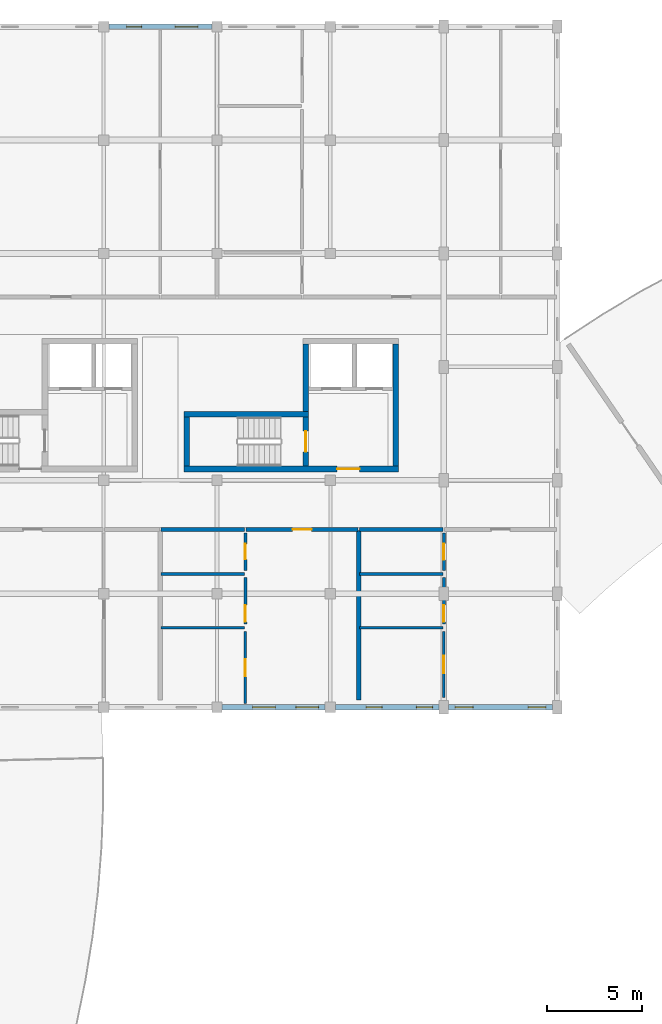
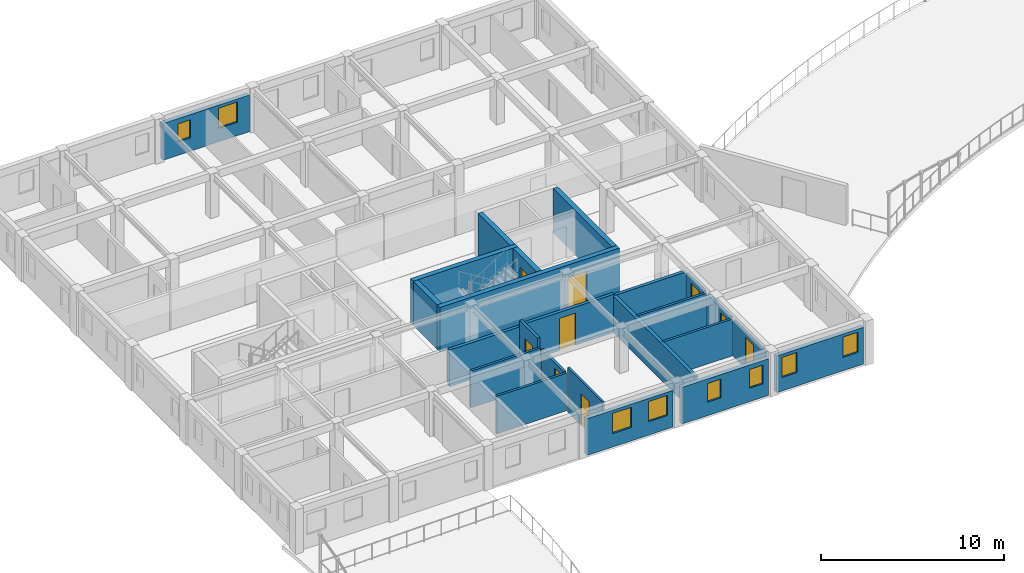
# One storey, part 36 of 58: 24 walls, 9 doors, 8 windows, 17 openings.
"""IFC4 building model written with IfcOpenShell, lengths in metres."""

from ifc_helpers import new_model, si_unit, direction, frame, frame_2d, origin, place, context, subcontext, project, spatial, rectangle, extrude, material, layer, layer_set, type_object, element, fill, save


model = new_model("IFC4")

# Units and contexts
model_context = context("Model", 3, precision=1e-05, world=origin(), true_north=direction((0.0, 1.0)))
body_context = subcontext(model_context, "Body", "Model", "MODEL_VIEW")
ifc_project = project(units=[si_unit("LENGTHUNIT", "METRE"), si_unit("AREAUNIT", "SQUARE_METRE"), si_unit("VOLUMEUNIT", "CUBIC_METRE"), si_unit("PLANEANGLEUNIT", "RADIAN"), si_unit("MASSUNIT", "GRAM", prefix="KILO"), si_unit("POWERUNIT", "WATT"), si_unit("THERMODYNAMICTEMPERATUREUNIT", "KELVIN")], contexts=[model_context])

# Site, building, storey
site_placement = place(None, origin())
site = spatial("IfcSite", under=ifc_project, at=site_placement, CompositionType="ELEMENT")
building_placement = place(site_placement, origin())
building = spatial("IfcBuilding", under=site, at=building_placement, Name="Ruvembo Vaulted Housing Court", CompositionType="ELEMENT")
storey_placement = place(building_placement, frame((0.0, 0.0, 20.5)))
storey = spatial("IfcBuildingStorey", under=building, at=storey_placement, Name="L06", CompositionType="ELEMENT", Elevation=20.5)

# Wall, opening, door
ifc_material_1 = material(Name="Concrete C35/45", Category="concrete")
ifc_layer_1 = layer(ifc_material_1, 0.300048828125, Name="Concrete C35/45")
ifc_layer_set_1 = layer_set([ifc_layer_1], Name="Concrete C35/45")
wall_type_1 = type_object("IfcWallType", Name="WL-CORE-300", PredefinedType="SHEAR", material=ifc_layer_set_1)
wall_1_placement = place(storey_placement, frame((64.25, 90.60009765625, 0.0), z_axis=(0.0, 0.0, 1.0), x_axis=(1.0, 0.0, 0.0)))
wall_1 = element("IfcWall", 1, at=wall_1_placement, inside=storey, type_object=wall_type_1, Name="Core B2 L06 South Shear Wall", PredefinedType="SHEAR", context=body_context, shape_type="SweptSolid", body=[
    extrude(rectangle(XDim=11.35009765625, YDim=0.300048828125, at=frame_2d((5.675048828125, 0.0))), origin(), (0.0, 0.0, 1.0), 2.969970703125),
])
opening_1_placement = place(wall_1_placement, frame((8.10009765625, 0.0, 0.0)))
opening_1 = element("IfcOpeningElement", 2, at=opening_1_placement, cuts=wall_1, Name="Opening LD3", PredefinedType="OPENING", context=body_context, shape_type="SweptSolid", body=[
    extrude(rectangle(XDim=1.199951171875, YDim=2.14990234375, at=frame_2d((0.60009765625, 1.074951171875))), frame((0.0, 0.159912109375, 0.0), z_axis=(0.0, -1.0, 0.0), x_axis=(1.0, 0.0, 0.0)), (0.0, 0.0, 1.0), 0.320068359375),
])
ifc_material_2 = material(Name="Galvanised Painted Steel", Category="steel")
door_type_1 = type_object("IfcDoorType", Name="DR-LOB-1200x2150", OperationType="NOTDEFINED", PredefinedType="DOOR", material=ifc_material_2)
door_1_placement = place(opening_1_placement, origin())
door_1 = element("IfcDoor", 3, at=door_1_placement, inside=storey, type_object=door_type_1, Name="Core B2 L06 Lobby Fire Door", OperationType="SINGLE_SWING_LEFT", OverallHeight=2.14990234375, OverallWidth=1.199951171875, PredefinedType="DOOR", context=body_context, shape_type="SweptSolid", body=[
    extrude(rectangle(XDim=1.199951171875, YDim=2.14990234375, at=frame_2d((0.60009765625, 1.074951171875))), frame((0.0, 0.02490234375, 0.0), z_axis=(0.0, -1.0, 0.0), x_axis=(1.0, 0.0, 0.0)), (0.0, 0.0, 1.0), 0.050048828125),
])
fill(opening_1, door_1)

# Walls
wall_2_placement = place(storey_placement, frame((70.85009765625, 93.5, 0.0), z_axis=(0.0, 0.0, 1.0), x_axis=(-1.0, 0.0, 0.0)))
element("IfcWall", 4, at=wall_2_placement, inside=storey, type_object=wall_type_1, Name="Core B2 L06 Stair North Shear Wall", PredefinedType="SHEAR", context=body_context, shape_type="SweptSolid", body=[
    extrude(rectangle(XDim=6.60009765625, YDim=0.300048828125, at=frame_2d((3.300048828125, 0.0))), origin(), (0.0, 0.0, 1.0), 2.969970703125),
])
wall_3_placement = place(storey_placement, frame((64.39990234375, 93.35009765625, 0.0), z_axis=(0.0, 0.0, 1.0), x_axis=(0.0, -1.0, 0.0)))
element("IfcWall", 5, at=wall_3_placement, inside=storey, type_object=wall_type_1, Name="Core B2 L06 Stair West Shear Wall", PredefinedType="SHEAR", context=body_context, shape_type="SweptSolid", body=[
    extrude(rectangle(XDim=2.60009765625, YDim=0.300048828125, at=frame_2d((1.300048828125, 0.0))), origin(), (0.0, 0.0, 1.0), 2.969970703125),
])

# Wall, opening, door
wall_4_placement = place(storey_placement, frame((70.699951171875, 90.75, 0.0), z_axis=(0.0, 0.0, 1.0), x_axis=(0.0, 1.0, 0.0)))
wall_4 = element("IfcWall", 6, at=wall_4_placement, inside=storey, type_object=wall_type_1, Name="Core B2 L06 Stair-Lobby Shear Wall", PredefinedType="SHEAR", context=body_context, shape_type="SweptSolid", body=[
    extrude(rectangle(XDim=2.60009765625, YDim=0.300048828125, at=frame_2d((1.300048828125, 0.0))), origin(), (0.0, 0.0, 1.0), 2.969970703125),
])
opening_2_placement = place(wall_4_placement, frame((0.75, 0.0, 0.0)))
opening_2 = element("IfcOpeningElement", 7, at=opening_2_placement, cuts=wall_4, Name="Opening SD2", PredefinedType="OPENING", context=body_context, shape_type="SweptSolid", body=[
    extrude(rectangle(XDim=1.10009765625, YDim=2.14990234375, at=frame_2d((0.550048828125, 1.074951171875))), frame((0.0, 0.159912109375, 0.0), z_axis=(0.0, -1.0, 0.0), x_axis=(1.0, 0.0, 0.0)), (0.0, 0.0, 1.0), 0.320068359375),
])
door_type_2 = type_object("IfcDoorType", Name="DR-STAIR-1100x2150", OperationType="NOTDEFINED", PredefinedType="DOOR", material=ifc_material_2)
door_2_placement = place(opening_2_placement, origin())
door_2 = element("IfcDoor", 8, at=door_2_placement, inside=storey, type_object=door_type_2, Name="Stair ST-B2 L06 Fire Door", OperationType="SINGLE_SWING_RIGHT", OverallHeight=2.14990234375, OverallWidth=1.10009765625, PredefinedType="DOOR", context=body_context, shape_type="SweptSolid", body=[
    extrude(rectangle(XDim=1.10009765625, YDim=2.14990234375, at=frame_2d((0.550048828125, 1.074951171875))), frame((0.0, 0.02490234375, 0.0), z_axis=(0.0, -1.0, 0.0), x_axis=(1.0, 0.0, 0.0)), (0.0, 0.0, 1.0), 0.050048828125),
])
fill(opening_2, door_2)

# Walls
wall_5_placement = place(storey_placement, frame((75.449951171875, 90.75, 0.0), z_axis=(0.0, 0.0, 1.0), x_axis=(0.0, 1.0, 0.0)))
element("IfcWall", 9, at=wall_5_placement, inside=storey, type_object=wall_type_1, Name="Core B2 L06 East Shear Wall", PredefinedType="SHEAR", context=body_context, shape_type="SweptSolid", body=[
    extrude(rectangle(XDim=6.449951171875, YDim=0.300048828125, at=frame_2d((3.22509765625, 0.0))), origin(), (0.0, 0.0, 1.0), 2.969970703125),
])
wall_6_placement = place(storey_placement, frame((70.699951171875, 93.64990234375, 0.0), z_axis=(0.0, 0.0, 1.0), x_axis=(0.0, 1.0, 0.0)))
element("IfcWall", 10, at=wall_6_placement, inside=storey, type_object=wall_type_1, Name="Core B2 L06 Upper West Shear Wall", PredefinedType="SHEAR", context=body_context, shape_type="SweptSolid", body=[
    extrude(rectangle(XDim=3.550048828125, YDim=0.300048828125, at=frame_2d((1.77490234375, 0.0))), origin(), (0.0, 0.0, 1.0), 2.969970703125),
])
ifc_material_3 = material(Name="Concrete Blockwork 200", Category="masonry")
ifc_layer_2 = layer(ifc_material_3, 0.199951171875, Name="Concrete Blockwork 200")
ifc_layer_set_2 = layer_set([ifc_layer_2], Name="Concrete Blockwork 200")
wall_type_2 = type_object("IfcWallType", Name="WL-CORR-200", PredefinedType="SOLIDWALL", material=ifc_layer_set_2)
wall_7_placement = place(storey_placement, frame((63.0400390625, 87.39990234375, 0.0), z_axis=(0.0, 0.0, 1.0), x_axis=(1.0, 0.0, 0.0)))
element("IfcWall", 11, at=wall_7_placement, inside=storey, type_object=wall_type_2, Name="L06 Flat B-L06-S2 Corridor Wall WL-INT-L06-01745", PredefinedType="SOLIDWALL", context=body_context, shape_type="SweptSolid", body=[
    extrude(rectangle(XDim=4.419921875, YDim=0.199951171875, at=frame_2d((2.2099609375, 0.0))), origin(), (0.0, 0.0, 1.0), 2.4580078125),
])

# Wall, opening, door
wall_8_placement = place(storey_placement, frame((67.5400390625, 87.39990234375, 0.0), z_axis=(0.0, 0.0, 1.0), x_axis=(1.0, 0.0, 0.0)))
wall_8 = element("IfcWall", 12, at=wall_8_placement, inside=storey, type_object=wall_type_2, Name="L06 Flat B-L06-S2 Entrance WL-INT-L06-01746", PredefinedType="SOLIDWALL", context=body_context, shape_type="SweptSolid", body=[
    extrude(rectangle(XDim=5.919921875, YDim=0.199951171875, at=frame_2d((2.9599609375, 0.0))), origin(), (0.0, 0.0, 1.0), 2.548095703125),
])
opening_3_placement = place(wall_8_placement, frame((2.4599609375, 0.0, 0.0)))
opening_3 = element("IfcOpeningElement", 13, at=opening_3_placement, cuts=wall_8, Name="Opening FD1", PredefinedType="OPENING", context=body_context, shape_type="SweptSolid", body=[
    extrude(rectangle(XDim=1.0, YDim=2.14990234375, at=frame_2d((0.5, 1.074951171875))), frame((0.0, 0.10986328125, 0.0), z_axis=(0.0, -1.0, 0.0), x_axis=(1.0, 0.0, 0.0)), (0.0, 0.0, 1.0), 0.219970703125),
])
ifc_material_4 = material(Name="FSC Hardwood and Engineered Timber", Category="wood")
door_type_3 = type_object("IfcDoorType", Name="DR-FLAT-1000x2150", OperationType="NOTDEFINED", PredefinedType="DOOR", material=ifc_material_4)
door_3_placement = place(opening_3_placement, origin())
door_3 = element("IfcDoor", 14, at=door_3_placement, inside=storey, type_object=door_type_3, Name="L06 Flat B-L06-S2 Entrance Door DR-INT-L06-00987", OperationType="SINGLE_SWING_LEFT", OverallHeight=2.14990234375, OverallWidth=1.0, PredefinedType="DOOR", context=body_context, shape_type="SweptSolid", body=[
    extrude(rectangle(XDim=1.0, YDim=2.14990234375, at=frame_2d((0.5, 1.074951171875))), frame((0.0, 0.02490234375, 0.0), z_axis=(0.0, -1.0, 0.0), x_axis=(1.0, 0.0, 0.0)), (0.0, 0.0, 1.0), 0.050048828125),
])
fill(opening_3, door_3)

# Walls
wall_9_placement = place(storey_placement, frame((73.5400390625, 87.39990234375, 0.0), z_axis=(0.0, 0.0, 1.0), x_axis=(1.0, 0.0, 0.0)))
element("IfcWall", 15, at=wall_9_placement, inside=storey, type_object=wall_type_2, Name="L06 Flat B-L06-S3 Corridor Wall WL-INT-L06-01752", PredefinedType="SOLIDWALL", context=body_context, shape_type="SweptSolid", body=[
    extrude(rectangle(XDim=4.419921875, YDim=0.199951171875, at=frame_2d((2.2099609375, 0.0))), origin(), (0.0, 0.0, 1.0), 2.451904296875),
])
ifc_material_5 = material(Name="Acoustic Masonry Demising 220", Category="masonry")
ifc_layer_3 = layer(ifc_material_5, 0.219970703125, Name="Acoustic Masonry Demising 220")
ifc_layer_set_3 = layer_set([ifc_layer_3], Name="Acoustic Masonry Demising 220")
wall_type_3 = type_object("IfcWallType", Name="WL-DEM-200", PredefinedType="SOLIDWALL", material=ifc_layer_set_3)
wall_10_placement = place(storey_placement, frame((73.5, 78.389892578125, 0.0), z_axis=(0.0, 0.0, 1.0), x_axis=(0.0, 1.0, 0.0)))
element("IfcWall", 16, at=wall_10_placement, inside=storey, type_object=wall_type_3, Name="L06 Demising B-L06-S2 WL-INT-L06-01744", PredefinedType="SOLIDWALL", context=body_context, shape_type="SweptSolid", body=[
    extrude(rectangle(XDim=8.97021484375, YDim=0.219970703125, at=frame_2d((4.485107421875, 0.0))), origin(), (0.0, 0.0, 1.0), 2.451904296875),
])

# Wall, openings, windows
ifc_material_6 = material(Name="Rendered Masonry 270", Category="masonry")
ifc_layer_4 = layer(ifc_material_6, 0.27001953125, Name="Rendered Masonry 270")
ifc_layer_set_4 = layer_set([ifc_layer_4], Name="Rendered Masonry 270")
wall_type_4 = type_object("IfcWallType", Name="WL-EXT-270", PredefinedType="STANDARD", material=ifc_layer_set_4)
wall_11_placement = place(storey_placement, frame((66.27490234375, 78.0, 0.0), z_axis=(0.0, 0.0, 1.0), x_axis=(1.0, 0.0, 0.0)))
wall_11 = element("IfcWall", 17, at=wall_11_placement, inside=storey, type_object=wall_type_4, Name="Block B L06 Exterior Wall COURTYARD #4", PredefinedType="STANDARD", context=body_context, shape_type="SweptSolid", body=[
    extrude(rectangle(XDim=5.4501953125, YDim=0.27001953125, at=frame_2d((2.72509765625, 0.0))), origin(), (0.0, 0.0, 1.0), 2.451904296875),
])
opening_4_placement = place(wall_11_placement, frame((1.614990234375, 0.0, 0.89990234375)))
opening_4 = element("IfcOpeningElement", 18, at=opening_4_placement, cuts=wall_11, Name="Opening W12", PredefinedType="OPENING", context=body_context, shape_type="SweptSolid", body=[
    extrude(rectangle(XDim=1.199951171875, YDim=1.35009765625, at=frame_2d((0.60009765625, 0.675048828125))), frame((0.0, 0.14501953125, 0.0), z_axis=(0.0, -1.0, 0.0), x_axis=(1.0, 0.0, 0.0)), (0.0, 0.0, 1.0), 0.2900390625),
])
opening_5_placement = place(wall_11_placement, frame((3.89990234375, 0.0, 0.89990234375)))
opening_5 = element("IfcOpeningElement", 19, at=opening_5_placement, cuts=wall_11, Name="Opening W12", PredefinedType="OPENING", context=body_context, shape_type="SweptSolid", body=[
    extrude(rectangle(XDim=1.199951171875, YDim=1.35009765625, at=frame_2d((0.60009765625, 0.675048828125))), frame((0.0, 0.14501953125, 0.0), z_axis=(0.0, -1.0, 0.0), x_axis=(1.0, 0.0, 0.0)), (0.0, 0.0, 1.0), 0.2900390625),
])
ifc_material_7 = material(Name="Double Solar-Control Glazing in Aluminium Frame", Category="aluminium")
window_type_1 = type_object("IfcWindowType", Name="WIN-1200x1350", PartitioningType="SINGLE_PANEL", PredefinedType="WINDOW", material=ifc_material_7)
window_1_placement = place(opening_4_placement, origin())
window_1 = element("IfcWindow", 20, at=window_1_placement, inside=storey, type_object=window_type_1, Name="Block B L06 Window #863", OverallHeight=1.35009765625, OverallWidth=1.199951171875, PartitioningType="SINGLE_PANEL", PredefinedType="WINDOW", context=body_context, shape_type="SweptSolid", body=[
    extrude(rectangle(XDim=1.199951171875, YDim=1.35009765625, at=frame_2d((0.60009765625, 0.675048828125))), frame((0.0, 0.030029296875, 0.0), z_axis=(0.0, -1.0, 0.0), x_axis=(1.0, 0.0, 0.0)), (0.0, 0.0, 1.0), 0.06005859375),
])
fill(opening_4, window_1)
window_2_placement = place(opening_5_placement, origin())
window_2 = element("IfcWindow", 21, at=window_2_placement, inside=storey, type_object=window_type_1, Name="Block B L06 Window #864", OverallHeight=1.35009765625, OverallWidth=1.199951171875, PartitioningType="SINGLE_PANEL", PredefinedType="WINDOW", context=body_context, shape_type="SweptSolid", body=[
    extrude(rectangle(XDim=1.199951171875, YDim=1.35009765625, at=frame_2d((0.60009765625, 0.675048828125))), frame((0.0, 0.030029296875, 0.0), z_axis=(0.0, -1.0, 0.0), x_axis=(1.0, 0.0, 0.0)), (0.0, 0.0, 1.0), 0.06005859375),
])
fill(opening_5, window_2)

wall_12_placement = place(storey_placement, frame((72.27490234375, 78.0, 0.0), z_axis=(0.0, 0.0, 1.0), x_axis=(1.0, 0.0, 0.0)))
wall_12 = element("IfcWall", 22, at=wall_12_placement, inside=storey, type_object=wall_type_4, Name="Block B L06 Exterior Wall COURTYARD #5", PredefinedType="STANDARD", context=body_context, shape_type="SweptSolid", body=[
    extrude(rectangle(XDim=5.47509765625, YDim=0.27001953125, at=frame_2d((2.737548828125, 0.0))), origin(), (0.0, 0.0, 1.0), 2.451904296875),
])
opening_6_placement = place(wall_12_placement, frame((1.614990234375, 0.0, 0.89990234375)))
opening_6 = element("IfcOpeningElement", 23, at=opening_6_placement, cuts=wall_12, Name="Opening W03", PredefinedType="OPENING", context=body_context, shape_type="SweptSolid", body=[
    extrude(rectangle(XDim=0.85009765625, YDim=1.25, at=frame_2d((0.425048828125, 0.625))), frame((0.0, 0.14501953125, 0.0), z_axis=(0.0, -1.0, 0.0), x_axis=(1.0, 0.0, 0.0)), (0.0, 0.0, 1.0), 0.2900390625),
])
opening_7_placement = place(wall_12_placement, frame((4.27490234375, 0.0, 0.89990234375)))
opening_7 = element("IfcOpeningElement", 24, at=opening_7_placement, cuts=wall_12, Name="Opening W03", PredefinedType="OPENING", context=body_context, shape_type="SweptSolid", body=[
    extrude(rectangle(XDim=0.85009765625, YDim=1.25, at=frame_2d((0.425048828125, 0.625))), frame((0.0, 0.14501953125, 0.0), z_axis=(0.0, -1.0, 0.0), x_axis=(1.0, 0.0, 0.0)), (0.0, 0.0, 1.0), 0.2900390625),
])
window_type_2 = type_object("IfcWindowType", Name="WIN-0850x1250", PartitioningType="SINGLE_PANEL", PredefinedType="WINDOW", material=ifc_material_7)
window_3_placement = place(opening_6_placement, origin())
window_3 = element("IfcWindow", 25, at=window_3_placement, inside=storey, type_object=window_type_2, Name="Block B L06 Window #865", OverallHeight=1.25, OverallWidth=0.85009765625, PartitioningType="SINGLE_PANEL", PredefinedType="WINDOW", context=body_context, shape_type="SweptSolid", body=[
    extrude(rectangle(XDim=0.85009765625, YDim=1.25, at=frame_2d((0.425048828125, 0.625))), frame((0.0, 0.030029296875, 0.0), z_axis=(0.0, -1.0, 0.0), x_axis=(1.0, 0.0, 0.0)), (0.0, 0.0, 1.0), 0.06005859375),
])
fill(opening_6, window_3)
window_4_placement = place(opening_7_placement, origin())
window_4 = element("IfcWindow", 26, at=window_4_placement, inside=storey, type_object=window_type_2, Name="Block B L06 Window #866", OverallHeight=1.25, OverallWidth=0.85009765625, PartitioningType="SINGLE_PANEL", PredefinedType="WINDOW", context=body_context, shape_type="SweptSolid", body=[
    extrude(rectangle(XDim=0.85009765625, YDim=1.25, at=frame_2d((0.425048828125, 0.625))), frame((0.0, 0.030029296875, 0.0), z_axis=(0.0, -1.0, 0.0), x_axis=(1.0, 0.0, 0.0)), (0.0, 0.0, 1.0), 0.06005859375),
])
fill(opening_7, window_4)

wall_13_placement = place(storey_placement, frame((78.25, 78.0, 0.0), z_axis=(0.0, 0.0, 1.0), x_axis=(1.0, 0.0, 0.0)))
wall_13 = element("IfcWall", 27, at=wall_13_placement, inside=storey, type_object=wall_type_4, Name="Block B L06 Exterior Wall COURTYARD #6", PredefinedType="STANDARD", context=body_context, shape_type="SweptSolid", body=[
    extrude(rectangle(XDim=5.5, YDim=0.27001953125, at=frame_2d((2.75, 0.0))), origin(), (0.0, 0.0, 1.0), 2.451904296875),
])
opening_8_placement = place(wall_13_placement, frame((0.35009765625, 0.0, 0.89990234375)))
opening_8 = element("IfcOpeningElement", 28, at=opening_8_placement, cuts=wall_13, Name="Opening W07", PredefinedType="OPENING", context=body_context, shape_type="SweptSolid", body=[
    extrude(rectangle(XDim=0.949951171875, YDim=1.35009765625, at=frame_2d((0.47509765625, 0.675048828125))), frame((0.0, 0.14501953125, 0.0), z_axis=(0.0, -1.0, 0.0), x_axis=(1.0, 0.0, 0.0)), (0.0, 0.0, 1.0), 0.2900390625),
])
opening_9_placement = place(wall_13_placement, frame((4.199951171875, 0.0, 0.89990234375)))
opening_9 = element("IfcOpeningElement", 29, at=opening_9_placement, cuts=wall_13, Name="Opening W07", PredefinedType="OPENING", context=body_context, shape_type="SweptSolid", body=[
    extrude(rectangle(XDim=0.949951171875, YDim=1.35009765625, at=frame_2d((0.47509765625, 0.675048828125))), frame((0.0, 0.14501953125, 0.0), z_axis=(0.0, -1.0, 0.0), x_axis=(1.0, 0.0, 0.0)), (0.0, 0.0, 1.0), 0.2900390625),
])
window_type_3 = type_object("IfcWindowType", Name="WIN-0950x1350", PartitioningType="SINGLE_PANEL", PredefinedType="WINDOW", material=ifc_material_7)
window_5_placement = place(opening_8_placement, origin())
window_5 = element("IfcWindow", 30, at=window_5_placement, inside=storey, type_object=window_type_3, Name="Block B L06 Window #867", OverallHeight=1.35009765625, OverallWidth=0.949951171875, PartitioningType="SINGLE_PANEL", PredefinedType="WINDOW", context=body_context, shape_type="SweptSolid", body=[
    extrude(rectangle(XDim=0.949951171875, YDim=1.35009765625, at=frame_2d((0.47509765625, 0.675048828125))), frame((0.0, 0.030029296875, 0.0), z_axis=(0.0, -1.0, 0.0), x_axis=(1.0, 0.0, 0.0)), (0.0, 0.0, 1.0), 0.06005859375),
])
fill(opening_8, window_5)
window_6_placement = place(opening_9_placement, origin())
window_6 = element("IfcWindow", 31, at=window_6_placement, inside=storey, type_object=window_type_3, Name="Block B L06 Window #868", OverallHeight=1.35009765625, OverallWidth=0.949951171875, PartitioningType="SINGLE_PANEL", PredefinedType="WINDOW", context=body_context, shape_type="SweptSolid", body=[
    extrude(rectangle(XDim=0.949951171875, YDim=1.35009765625, at=frame_2d((0.47509765625, 0.675048828125))), frame((0.0, 0.030029296875, 0.0), z_axis=(0.0, -1.0, 0.0), x_axis=(1.0, 0.0, 0.0)), (0.0, 0.0, 1.0), 0.06005859375),
])
fill(opening_9, window_6)

wall_14_placement = place(storey_placement, frame((65.72509765625, 114.0, 0.0), z_axis=(0.0, 0.0, 1.0), x_axis=(-1.0, 0.0, 0.0)))
wall_14 = element("IfcWall", 32, at=wall_14_placement, inside=storey, type_object=wall_type_4, Name="Block B L06 Exterior Wall STREET #4", PredefinedType="STANDARD", context=body_context, shape_type="SweptSolid", body=[
    extrude(rectangle(XDim=5.4501953125, YDim=0.27001953125, at=frame_2d((2.72509765625, 0.0))), origin(), (0.0, 0.0, 1.0), 2.451904296875),
])
opening_10_placement = place(wall_14_placement, frame((0.742431640625, 0.0, 0.89990234375)))
opening_10 = element("IfcOpeningElement", 33, at=opening_10_placement, cuts=wall_14, Name="Opening W12", PredefinedType="OPENING", context=body_context, shape_type="SweptSolid", body=[
    extrude(rectangle(XDim=1.199951171875, YDim=1.35009765625, at=frame_2d((0.60009765625, 0.675048828125))), frame((0.0, 0.14501953125, 0.0), z_axis=(0.0, -1.0, 0.0), x_axis=(1.0, 0.0, 0.0)), (0.0, 0.0, 1.0), 0.2900390625),
])
opening_11_placement = place(wall_14_placement, frame((3.70751953125, 0.0, 0.89990234375)))
opening_11 = element("IfcOpeningElement", 34, at=opening_11_placement, cuts=wall_14, Name="Opening W02", PredefinedType="OPENING", context=body_context, shape_type="SweptSolid", body=[
    extrude(rectangle(XDim=0.800048828125, YDim=1.199951171875, at=frame_2d((0.39990234375, 0.60009765625))), frame((0.0, 0.14501953125, 0.0), z_axis=(0.0, -1.0, 0.0), x_axis=(1.0, 0.0, 0.0)), (0.0, 0.0, 1.0), 0.2900390625),
])
window_type_4 = type_object("IfcWindowType", Name="WIN-0800x1200", PartitioningType="SINGLE_PANEL", PredefinedType="WINDOW", material=ifc_material_7)
window_7_placement = place(opening_11_placement, origin())
window_7 = element("IfcWindow", 35, at=window_7_placement, inside=storey, type_object=window_type_4, Name="Block B L06 Window #888", OverallHeight=1.199951171875, OverallWidth=0.800048828125, PartitioningType="SINGLE_PANEL", PredefinedType="WINDOW", context=body_context, shape_type="SweptSolid", body=[
    extrude(rectangle(XDim=0.800048828125, YDim=1.199951171875, at=frame_2d((0.39990234375, 0.60009765625))), frame((0.0, 0.030029296875, 0.0), z_axis=(0.0, -1.0, 0.0), x_axis=(1.0, 0.0, 0.0)), (0.0, 0.0, 1.0), 0.06005859375),
])
fill(opening_11, window_7)
window_8_placement = place(opening_10_placement, origin())
window_8 = element("IfcWindow", 36, at=window_8_placement, inside=storey, type_object=window_type_1, Name="Block B L06 Window #887", OverallHeight=1.35009765625, OverallWidth=1.199951171875, PartitioningType="SINGLE_PANEL", PredefinedType="WINDOW", context=body_context, shape_type="SweptSolid", body=[
    extrude(rectangle(XDim=1.199951171875, YDim=1.35009765625, at=frame_2d((0.60009765625, 0.675048828125))), frame((0.0, 0.030029296875, 0.0), z_axis=(0.0, -1.0, 0.0), x_axis=(1.0, 0.0, 0.0)), (0.0, 0.0, 1.0), 0.06005859375),
])
fill(opening_10, window_8)

# Wall, opening, door
ifc_material_8 = material(Name="Plasterboard Stud Partition 125", Category="gypsum")
ifc_layer_5 = layer(ifc_material_8, 0.125, Name="Plasterboard Stud Partition 125")
ifc_layer_set_5 = layer_set([ifc_layer_5], Name="Plasterboard Stud Partition 125")
wall_type_5 = type_object("IfcWallType", Name="WL-PART-125", PredefinedType="PARTITIONING", material=ifc_layer_set_5)
wall_15_placement = place(storey_placement, frame((67.5, 78.18994140625, 0.0), z_axis=(0.0, 0.0, 1.0), x_axis=(0.0, 1.0, 0.0)))
wall_15 = element("IfcWall", 37, at=wall_15_placement, inside=storey, type_object=wall_type_5, Name="L06 Flat B-L06-S2 Bedroom 1 WL-INT-L06-01747", PredefinedType="PARTITIONING", context=body_context, shape_type="SweptSolid", body=[
    extrude(rectangle(XDim=3.820068359375, YDim=0.125, at=frame_2d((1.91015625, 0.0))), origin(), (0.0, 0.0, 1.0), 2.969970703125),
])
opening_12_placement = place(wall_15_placement, frame((1.4599609375, 0.0, 0.0)))
opening_12 = element("IfcOpeningElement", 38, at=opening_12_placement, cuts=wall_15, Name="Opening ID1", PredefinedType="OPENING", context=body_context, shape_type="SweptSolid", body=[
    extrude(rectangle(XDim=0.89990234375, YDim=2.10009765625, at=frame_2d((0.449951171875, 1.050048828125))), frame((0.0, 0.072509765625, 0.0), z_axis=(0.0, -1.0, 0.0), x_axis=(1.0, 0.0, 0.0)), (0.0, 0.0, 1.0), 0.14501953125),
])
door_type_4 = type_object("IfcDoorType", Name="DR-ROOM-0900x2100", OperationType="NOTDEFINED", PredefinedType="DOOR", material=ifc_material_4)
door_4_placement = place(opening_12_placement, origin())
door_4 = element("IfcDoor", 39, at=door_4_placement, inside=storey, type_object=door_type_4, Name="L06 Flat B-L06-S2 Bedroom 1 Door DR-INT-L06-00988", OperationType="SINGLE_SWING_RIGHT", OverallHeight=2.10009765625, OverallWidth=0.89990234375, PredefinedType="DOOR", context=body_context, shape_type="SweptSolid", body=[
    extrude(rectangle(XDim=0.89990234375, YDim=2.10009765625, at=frame_2d((0.449951171875, 1.050048828125))), frame((0.0, 0.02490234375, 0.0), z_axis=(0.0, -1.0, 0.0), x_axis=(1.0, 0.0, 0.0)), (0.0, 0.0, 1.0), 0.050048828125),
])
fill(opening_12, door_4)

wall_16_placement = place(storey_placement, frame((78.0, 78.510009765625, 0.0), z_axis=(0.0, 0.0, 1.0), x_axis=(0.0, 1.0, 0.0)))
wall_16 = element("IfcWall", 40, at=wall_16_placement, inside=storey, type_object=wall_type_5, Name="L06 Flat B-L06-S3 Bedroom 1 WL-INT-L06-01754", PredefinedType="PARTITIONING", context=body_context, shape_type="SweptSolid", body=[
    extrude(rectangle(XDim=3.5, YDim=0.125, at=frame_2d((1.75, 0.0))), origin(), (0.0, 0.0, 1.0), 2.451904296875),
])
opening_13_placement = place(wall_16_placement, frame((1.300048828125, 0.0, 0.0)))
opening_13 = element("IfcOpeningElement", 41, at=opening_13_placement, cuts=wall_16, Name="Opening ID1", PredefinedType="OPENING", context=body_context, shape_type="SweptSolid", body=[
    extrude(rectangle(XDim=0.89990234375, YDim=2.10009765625, at=frame_2d((0.449951171875, 1.050048828125))), frame((0.0, 0.072509765625, 0.0), z_axis=(0.0, -1.0, 0.0), x_axis=(1.0, 0.0, 0.0)), (0.0, 0.0, 1.0), 0.14501953125),
])
door_5_placement = place(opening_13_placement, origin())
door_5 = element("IfcDoor", 42, at=door_5_placement, inside=storey, type_object=door_type_4, Name="L06 Flat B-L06-S3 Bedroom 1 Door DR-INT-L06-00992", OperationType="SINGLE_SWING_RIGHT", OverallHeight=2.10009765625, OverallWidth=0.89990234375, PredefinedType="DOOR", context=body_context, shape_type="SweptSolid", body=[
    extrude(rectangle(XDim=0.89990234375, YDim=2.10009765625, at=frame_2d((0.449951171875, 1.050048828125))), frame((0.0, 0.02490234375, 0.0), z_axis=(0.0, -1.0, 0.0), x_axis=(1.0, 0.0, 0.0)), (0.0, 0.0, 1.0), 0.050048828125),
])
fill(opening_13, door_5)

ifc_material_9 = material(Name="Moisture-Resistant Wet Partition 150", Category="gypsum")
ifc_layer_6 = layer(ifc_material_9, 0.14990234375, Name="Moisture-Resistant Wet Partition 150")
ifc_layer_set_6 = layer_set([ifc_layer_6], Name="Moisture-Resistant Wet Partition 150")
wall_type_6 = type_object("IfcWallType", Name="WL-PART-150", PredefinedType="PARTITIONING", material=ifc_layer_set_6)
wall_17_placement = place(storey_placement, frame((67.5, 85.239990234375, 0.0), z_axis=(0.0, 0.0, 1.0), x_axis=(0.0, 1.0, 0.0)))
wall_17 = element("IfcWall", 43, at=wall_17_placement, inside=storey, type_object=wall_type_6, Name="L06 Flat B-L06-S2 Bathroom WL-INT-L06-01749", PredefinedType="PARTITIONING", context=body_context, shape_type="SweptSolid", body=[
    extrude(rectangle(XDim=1.969970703125, YDim=0.14990234375, at=frame_2d((0.98486328125, 0.0))), origin(), (0.0, 0.0, 1.0), 2.969970703125),
])
opening_14_placement = place(wall_17_placement, frame((0.574951171875, 0.0, 0.0)))
opening_14 = element("IfcOpeningElement", 44, at=opening_14_placement, cuts=wall_17, Name="Opening ID4", PredefinedType="OPENING", context=body_context, shape_type="SweptSolid", body=[
    extrude(rectangle(XDim=0.820068359375, YDim=2.080078125, at=frame_2d((0.41015625, 1.0400390625))), frame((0.0, 0.0849609375, 0.0), z_axis=(0.0, -1.0, 0.0), x_axis=(1.0, 0.0, 0.0)), (0.0, 0.0, 1.0), 0.169921875),
])
door_type_5 = type_object("IfcDoorType", Name="DR-WET-0820x2080", OperationType="NOTDEFINED", PredefinedType="DOOR", material=ifc_material_4)
door_6_placement = place(opening_14_placement, origin())
door_6 = element("IfcDoor", 45, at=door_6_placement, inside=storey, type_object=door_type_5, Name="L06 Flat B-L06-S2 Bathroom Door DR-INT-L06-00990", OperationType="SINGLE_SWING_RIGHT", OverallHeight=2.080078125, OverallWidth=0.820068359375, PredefinedType="DOOR", context=body_context, shape_type="SweptSolid", body=[
    extrude(rectangle(XDim=0.820068359375, YDim=2.080078125, at=frame_2d((0.41015625, 1.0400390625))), frame((0.0, 0.02490234375, 0.0), z_axis=(0.0, -1.0, 0.0), x_axis=(1.0, 0.0, 0.0)), (0.0, 0.0, 1.0), 0.050048828125),
])
fill(opening_14, door_6)

# Walls
wall_18_placement = place(storey_placement, frame((63.0400390625, 82.199951171875, 0.0), z_axis=(0.0, 0.0, 1.0), x_axis=(1.0, 0.0, 0.0)))
element("IfcWall", 46, at=wall_18_placement, inside=storey, type_object=wall_type_6, Name="L06 Flat B-L06-S2 Wet Wall 1 WL-INT-L06-01750", PredefinedType="PARTITIONING", context=body_context, shape_type="SweptSolid", body=[
    extrude(rectangle(XDim=4.419921875, YDim=0.14990234375, at=frame_2d((2.2099609375, 0.0))), origin(), (0.0, 0.0, 1.0), 2.508056640625),
])
wall_19_placement = place(storey_placement, frame((63.0400390625, 85.050048828125, 0.0), z_axis=(0.0, 0.0, 1.0), x_axis=(1.0, 0.0, 0.0)))
element("IfcWall", 47, at=wall_19_placement, inside=storey, type_object=wall_type_6, Name="L06 Flat B-L06-S2 Wet Wall 2 WL-INT-L06-01751", PredefinedType="PARTITIONING", context=body_context, shape_type="SweptSolid", body=[
    extrude(rectangle(XDim=4.419921875, YDim=0.14990234375, at=frame_2d((2.2099609375, 0.0))), origin(), (0.0, 0.0, 1.0), 2.4580078125),
])

# Wall, opening, door
wall_20_placement = place(storey_placement, frame((78.0, 85.239990234375, 0.0), z_axis=(0.0, 0.0, 1.0), x_axis=(0.0, 1.0, 0.0)))
wall_20 = element("IfcWall", 48, at=wall_20_placement, inside=storey, type_object=wall_type_6, Name="L06 Flat B-L06-S3 Bathroom WL-INT-L06-01756", PredefinedType="PARTITIONING", context=body_context, shape_type="SweptSolid", body=[
    extrude(rectangle(XDim=1.969970703125, YDim=0.14990234375, at=frame_2d((0.98486328125, 0.0))), origin(), (0.0, 0.0, 1.0), 2.451904296875),
])
opening_15_placement = place(wall_20_placement, frame((0.56005859375, 0.0, 0.0)))
opening_15 = element("IfcOpeningElement", 49, at=opening_15_placement, cuts=wall_20, Name="Opening ID2", PredefinedType="OPENING", context=body_context, shape_type="SweptSolid", body=[
    extrude(rectangle(XDim=0.85009765625, YDim=2.10009765625, at=frame_2d((0.425048828125, 1.050048828125))), frame((0.0, 0.0849609375, 0.0), z_axis=(0.0, -1.0, 0.0), x_axis=(1.0, 0.0, 0.0)), (0.0, 0.0, 1.0), 0.169921875),
])
door_type_6 = type_object("IfcDoorType", Name="DR-WET-0850x2100", OperationType="NOTDEFINED", PredefinedType="DOOR", material=ifc_material_4)
door_7_placement = place(opening_15_placement, origin())
door_7 = element("IfcDoor", 50, at=door_7_placement, inside=storey, type_object=door_type_6, Name="L06 Flat B-L06-S3 Bathroom Door DR-INT-L06-00994", OperationType="SINGLE_SWING_RIGHT", OverallHeight=2.10009765625, OverallWidth=0.85009765625, PredefinedType="DOOR", context=body_context, shape_type="SweptSolid", body=[
    extrude(rectangle(XDim=0.85009765625, YDim=2.10009765625, at=frame_2d((0.425048828125, 1.050048828125))), frame((0.0, 0.02490234375, 0.0), z_axis=(0.0, -1.0, 0.0), x_axis=(1.0, 0.0, 0.0)), (0.0, 0.0, 1.0), 0.050048828125),
])
fill(opening_15, door_7)

# Walls
for number, where, z_axis, x_axis, name in (
    (51, (73.5400390625, 82.199951171875, 0.0), (0.0, 0.0, 1.0), (1.0, 0.0, 0.0), "L06 Flat B-L06-S3 Wet Wall 1 WL-INT-L06-01757"),
    (52, (73.5400390625, 85.050048828125, 0.0), (0.0, 0.0, 1.0), (1.0, 0.0, 0.0), "L06 Flat B-L06-S3 Wet Wall 2 WL-INT-L06-01758"),
):
    element("IfcWall", number, at=place(storey_placement, frame(where, z_axis=z_axis, x_axis=x_axis)), inside=storey, type_object=wall_type_6, Name=name, PredefinedType="PARTITIONING", context=body_context, shape_type="SweptSolid", body=[
        extrude(rectangle(XDim=4.419921875, YDim=0.14990234375, at=frame_2d((2.2099609375, 0.0))), origin(), (0.0, 0.0, 1.0), 2.451904296875),
    ])

# Wall, opening, door
ifc_material_10 = material(Name="Acoustic Service Chase Wall 160", Category="gypsum")
ifc_layer_7 = layer(ifc_material_10, 0.159912109375, Name="Acoustic Service Chase Wall 160")
ifc_layer_set_7 = layer_set([ifc_layer_7], Name="Acoustic Service Chase Wall 160")
wall_type_7 = type_object("IfcWallType", Name="WL-PLUMB-160", PredefinedType="PLUMBINGWALL", material=ifc_layer_set_7)
wall_21_placement = place(storey_placement, frame((67.5, 82.389892578125, 0.0), z_axis=(0.0, 0.0, 1.0), x_axis=(0.0, 1.0, 0.0)))
wall_21 = element("IfcWall", 53, at=wall_21_placement, inside=storey, type_object=wall_type_7, Name="L06 Flat B-L06-S2 Kitchen WL-INT-L06-01748", PredefinedType="PLUMBINGWALL", context=body_context, shape_type="SweptSolid", body=[
    extrude(rectangle(XDim=2.47021484375, YDim=0.159912109375, at=frame_2d((1.235107421875, 0.0))), origin(), (0.0, 0.0, 1.0), 2.451904296875),
])
opening_16_placement = place(wall_21_placement, frame((0.1298828125, 0.0, 0.0)))
opening_16 = element("IfcOpeningElement", 54, at=opening_16_placement, cuts=wall_21, Name="Opening ID3", PredefinedType="OPENING", context=body_context, shape_type="SweptSolid", body=[
    extrude(rectangle(XDim=0.8798828125, YDim=2.10009765625, at=frame_2d((0.43994140625, 1.050048828125))), frame((0.0, 0.08984375, 0.0), z_axis=(0.0, -1.0, 0.0), x_axis=(1.0, 0.0, 0.0)), (0.0, 0.0, 1.0), 0.179931640625),
])
door_type_7 = type_object("IfcDoorType", Name="DR-ROOM-0880x2100", OperationType="NOTDEFINED", PredefinedType="DOOR", material=ifc_material_4)
door_8_placement = place(opening_16_placement, origin())
door_8 = element("IfcDoor", 55, at=door_8_placement, inside=storey, type_object=door_type_7, Name="L06 Flat B-L06-S2 Kitchen Door DR-INT-L06-00989", OperationType="SINGLE_SWING_LEFT", OverallHeight=2.10009765625, OverallWidth=0.8798828125, PredefinedType="DOOR", context=body_context, shape_type="SweptSolid", body=[
    extrude(rectangle(XDim=0.8798828125, YDim=2.10009765625, at=frame_2d((0.43994140625, 1.050048828125))), frame((0.0, 0.02490234375, 0.0), z_axis=(0.0, -1.0, 0.0), x_axis=(1.0, 0.0, 0.0)), (0.0, 0.0, 1.0), 0.050048828125),
])
fill(opening_16, door_8)

wall_22_placement = place(storey_placement, frame((78.0, 82.389892578125, 0.0), z_axis=(0.0, 0.0, 1.0), x_axis=(0.0, 1.0, 0.0)))
wall_22 = element("IfcWall", 56, at=wall_22_placement, inside=storey, type_object=wall_type_7, Name="L06 Flat B-L06-S3 Kitchen WL-INT-L06-01755", PredefinedType="PLUMBINGWALL", context=body_context, shape_type="SweptSolid", body=[
    extrude(rectangle(XDim=2.47021484375, YDim=0.159912109375, at=frame_2d((1.235107421875, 0.0))), origin(), (0.0, 0.0, 1.0), 2.451904296875),
])
opening_17_placement = place(wall_22_placement, frame((0.1298828125, 0.0, 0.0)))
opening_17 = element("IfcOpeningElement", 57, at=opening_17_placement, cuts=wall_22, Name="Opening ID3", PredefinedType="OPENING", context=body_context, shape_type="SweptSolid", body=[
    extrude(rectangle(XDim=0.8798828125, YDim=2.10009765625, at=frame_2d((0.43994140625, 1.050048828125))), frame((0.0, 0.08984375, 0.0), z_axis=(0.0, -1.0, 0.0), x_axis=(1.0, 0.0, 0.0)), (0.0, 0.0, 1.0), 0.179931640625),
])
door_9_placement = place(opening_17_placement, origin())
door_9 = element("IfcDoor", 58, at=door_9_placement, inside=storey, type_object=door_type_7, Name="L06 Flat B-L06-S3 Kitchen Door DR-INT-L06-00993", OperationType="SINGLE_SWING_LEFT", OverallHeight=2.10009765625, OverallWidth=0.8798828125, PredefinedType="DOOR", context=body_context, shape_type="SweptSolid", body=[
    extrude(rectangle(XDim=0.8798828125, YDim=2.10009765625, at=frame_2d((0.43994140625, 1.050048828125))), frame((0.0, 0.02490234375, 0.0), z_axis=(0.0, -1.0, 0.0), x_axis=(1.0, 0.0, 0.0)), (0.0, 0.0, 1.0), 0.050048828125),
])
fill(opening_17, door_9)

save(model, "model.ifc")
